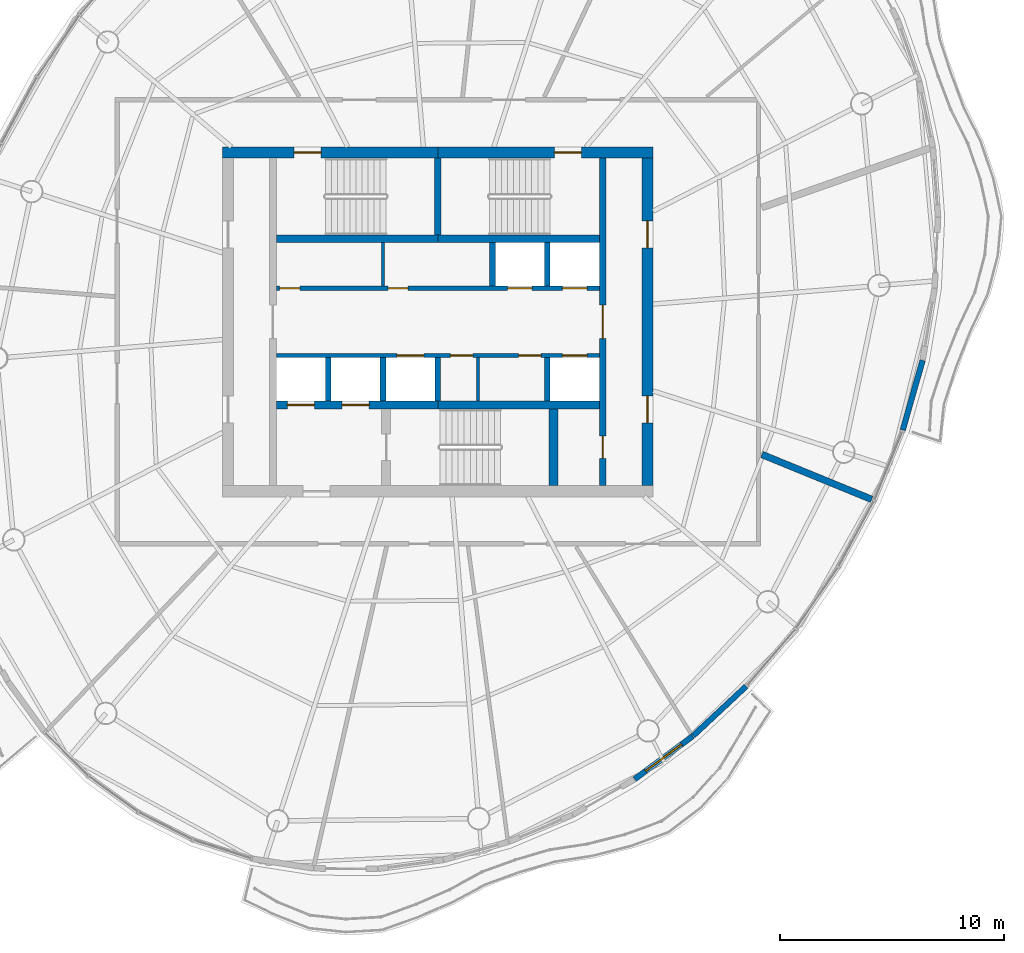
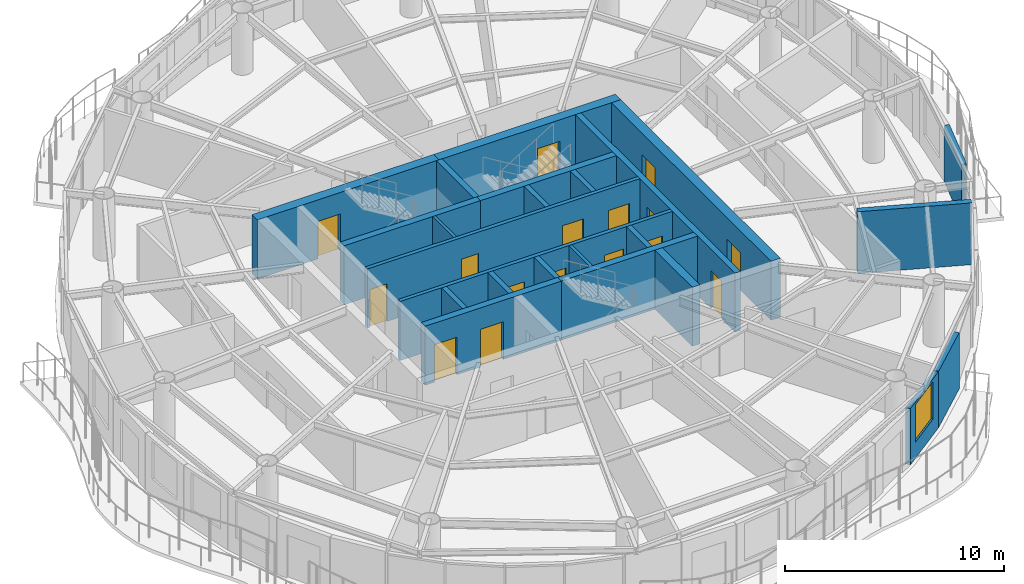
# One storey, part 9 of 14: 24 walls, 16 doors, 1 window, 17 openings.
"""IFC4 building model written with IfcOpenShell, lengths in metres."""

from ifc_helpers import new_model, si_unit, direction, frame, frame_2d, origin, place, context, subcontext, project, spatial, rectangle, extrude, material, layer, layer_set, type_object, element, fill, save


model = new_model("IFC4")

# Units and contexts
model_context = context("Model", 3, precision=1e-05, world=origin(), true_north=direction((0.0, 1.0)))
body_context = subcontext(model_context, "Body", "Model", "MODEL_VIEW")
ifc_project = project(units=[si_unit("LENGTHUNIT", "METRE"), si_unit("AREAUNIT", "SQUARE_METRE"), si_unit("VOLUMEUNIT", "CUBIC_METRE"), si_unit("PLANEANGLEUNIT", "RADIAN"), si_unit("MASSUNIT", "GRAM", prefix="KILO")], contexts=[model_context])

# Site, building, storey
site_placement = place(None, origin())
site = spatial("IfcSite", under=ifc_project, at=site_placement, CompositionType="ELEMENT")
building_placement = place(site_placement, origin())
building = spatial("IfcBuilding", under=site, at=building_placement, Name="Vermilion Reach Broadcast Tower", CompositionType="ELEMENT")
storey_placement = place(building_placement, frame((0.0, 0.0, 268.5)))
storey = spatial("IfcBuildingStorey", under=building, at=storey_placement, Name="L66", CompositionType="ELEMENT", Elevation=268.5)

# Wall, openings, doors
ifc_material_1 = material(Name="Concrete C50", Category="concrete")
ifc_layer_1 = layer(ifc_material_1, 0.300048828125)
ifc_layer_set_1 = layer_set([ifc_layer_1], Name="Core inner wall 300 mm Concrete C50")
wall_type_1 = type_object("IfcWallType", Name="Core inner wall 300 mm Concrete C50", PredefinedType="SHEAR", material=ifc_layer_set_1)
wall_1_placement = place(storey_placement, frame((1.35009765625, -7.300048828125, 0.0), z_axis=(0.0, 0.0, 1.0), x_axis=(0.0, 1.0, 0.0)))
wall_1 = element("IfcWall", 1, at=wall_1_placement, inside=storey, type_object=wall_type_1, Name="L66 core wall ewE", PredefinedType="SHEAR", context=body_context, shape_type="SweptSolid", body=[
    extrude(rectangle(XDim=14.60009765625, YDim=0.300048828125, at=frame_2d((7.300048828125, 0.0))), origin(), (0.0, 0.0, 1.0), 3.300048828125),
])
opening_1_placement = place(wall_1_placement, frame((1.2099609375, 0.0, 0.0)))
opening_1 = element("IfcOpeningElement", 2, at=opening_1_placement, cuts=wall_1, Name="Opening D05", PredefinedType="OPENING", context=body_context, shape_type="SweptSolid", body=[
    extrude(rectangle(XDim=1.0, YDim=2.10009765625, at=frame_2d((0.5, 1.050048828125))), frame((0.0, 0.159912109375, 0.0), z_axis=(0.0, -1.0, 0.0), x_axis=(1.0, 0.0, 0.0)), (0.0, 0.0, 1.0), 0.320068359375),
])
opening_2_placement = place(wall_1_placement, frame((6.550048828125, 0.0, 0.0)))
opening_2 = element("IfcOpeningElement", 3, at=opening_2_placement, cuts=wall_1, Name="Opening D04", PredefinedType="OPENING", context=body_context, shape_type="SweptSolid", body=[
    extrude(rectangle(XDim=1.5, YDim=2.10009765625, at=frame_2d((0.75, 1.050048828125))), frame((0.0, 0.159912109375, 0.0), z_axis=(0.0, -1.0, 0.0), x_axis=(1.0, 0.0, 0.0)), (0.0, 0.0, 1.0), 0.320068359375),
])
ifc_material_2 = material(Name="Painted steel fire door", Category="steel")
door_type_1 = type_object("IfcDoorType", Name="Lift lobby door 1500 x 2100", OperationType="DOUBLE_DOOR_SINGLE_SWING", PredefinedType="NOTDEFINED", material=ifc_material_2)
door_1_placement = place(opening_2_placement, origin())
door_1 = element("IfcDoor", 4, at=door_1_placement, inside=storey, type_object=door_type_1, Name="L66 band door BE", OperationType="DOUBLE_DOOR_SINGLE_SWING", OverallHeight=2.10009765625, OverallWidth=1.5, PredefinedType="NOTDEFINED", context=body_context, shape_type="SweptSolid", body=[
    extrude(rectangle(XDim=1.5, YDim=2.10009765625, at=frame_2d((0.75, 1.050048828125))), frame((0.0, 0.02490234375, 0.0), z_axis=(0.0, -1.0, 0.0), x_axis=(1.0, 0.0, 0.0)), (0.0, 0.0, 1.0), 0.050048828125),
])
fill(opening_2, door_1)
ifc_material_3 = material(Name="Timber door", Category="wood")
door_type_2 = type_object("IfcDoorType", Name="Room door 1000 x 2100", OperationType="NOTDEFINED", PredefinedType="NOTDEFINED", material=ifc_material_3)
door_2_placement = place(opening_1_placement, origin())
door_2 = element("IfcDoor", 5, at=door_2_placement, inside=storey, type_object=door_type_2, Name="L66 door SER", OperationType="SINGLE_SWING_LEFT", OverallHeight=2.10009765625, OverallWidth=1.0, PredefinedType="NOTDEFINED", context=body_context, shape_type="SweptSolid", body=[
    extrude(rectangle(XDim=1.0, YDim=2.10009765625, at=frame_2d((0.5, 1.050048828125))), frame((0.0, 0.02490234375, 0.0), z_axis=(0.0, -1.0, 0.0), x_axis=(1.0, 0.0, 0.0)), (0.0, 0.0, 1.0), 0.050048828125),
])
fill(opening_1, door_2)

# Walls
wall_2_placement = place(storey_placement, frame((-6.0, 3.8798828125, 0.0), z_axis=(0.0, 0.0, 1.0), x_axis=(0.0, 1.0, 0.0)))
element("IfcWall", 6, at=wall_2_placement, inside=storey, type_object=wall_type_1, Name="L66 core wall wc", PredefinedType="SHEAR", context=body_context, shape_type="SweptSolid", body=[
    extrude(rectangle(XDim=3.420166015625, YDim=0.300048828125, at=frame_2d((1.7099609375, 0.0))), origin(), (0.0, 0.0, 1.0), 3.300048828125),
])
ifc_material_4 = material(Name="Concrete C50", Category="concrete")
ifc_layer_2 = layer(ifc_material_4, 0.35009765625)
ifc_layer_set_2 = layer_set([ifc_layer_2], Name="Core inner wall 350 mm Concrete C50")
wall_type_2 = type_object("IfcWallType", Name="Core inner wall 350 mm Concrete C50", PredefinedType="SHEAR", material=ifc_layer_set_2)
for number, where, z_axis, x_axis, name in (
    (7, (-13.199951171875, 3.705078125, 0.0), (0.0, 0.0, 1.0), (1.0, 0.0, 0.0), "L66 core wall winW"),
    (8, (-6.0, 3.705078125, 0.0), (0.0, 0.0, 1.0), (1.0, 0.0, 0.0), "L66 core wall winE"),
):
    element("IfcWall", number, at=place(storey_placement, frame(where, z_axis=z_axis, x_axis=x_axis)), inside=storey, type_object=wall_type_2, Name=name, PredefinedType="SHEAR", context=body_context, shape_type="SweptSolid", body=[
        extrude(rectangle(XDim=7.199951171875, YDim=0.35009765625, at=frame_2d((3.60009765625, 0.0))), origin(), (0.0, 0.0, 1.0), 3.300048828125),
    ])

# Wall, openings, doors
wall_3_placement = place(storey_placement, frame((-13.199951171875, -3.705078125, 0.0), z_axis=(0.0, 0.0, 1.0), x_axis=(1.0, 0.0, 0.0)))
wall_3 = element("IfcWall", 9, at=wall_3_placement, inside=storey, type_object=wall_type_2, Name="L66 core wall wisW", PredefinedType="SHEAR", context=body_context, shape_type="SweptSolid", body=[
    extrude(rectangle(XDim=7.199951171875, YDim=0.35009765625, at=frame_2d((3.60009765625, 0.0))), origin(), (0.0, 0.0, 1.0), 3.300048828125),
])
opening_3_placement = place(wall_3_placement, frame((0.495849609375, 0.0, 0.0)))
opening_3 = element("IfcOpeningElement", 10, at=opening_3_placement, cuts=wall_3, Name="Opening LD1", PredefinedType="OPENING", context=body_context, shape_type="SweptSolid", body=[
    extrude(rectangle(XDim=1.199951171875, YDim=2.10009765625, at=frame_2d((0.60009765625, 1.050048828125))), frame((0.0, 0.18505859375, 0.0), z_axis=(0.0, -1.0, 0.0), x_axis=(1.0, 0.0, 0.0)), (0.0, 0.0, 1.0), 0.3701171875),
])
opening_4_placement = place(wall_3_placement, frame((2.9375, 0.0, 0.0)))
opening_4 = element("IfcOpeningElement", 11, at=opening_4_placement, cuts=wall_3, Name="Opening LD1", PredefinedType="OPENING", context=body_context, shape_type="SweptSolid", body=[
    extrude(rectangle(XDim=1.199951171875, YDim=2.10009765625, at=frame_2d((0.60009765625, 1.050048828125))), frame((0.0, 0.18505859375, 0.0), z_axis=(0.0, -1.0, 0.0), x_axis=(1.0, 0.0, 0.0)), (0.0, 0.0, 1.0), 0.3701171875),
])
ifc_material_5 = material(Name="Stainless steel", Category="steel")
door_type_3 = type_object("IfcDoorType", Name="Landing door 1200 x 2100", OperationType="DOUBLE_DOOR_SLIDING", PredefinedType="NOTDEFINED", material=ifc_material_5)
door_3_placement = place(opening_3_placement, origin())
door_3 = element("IfcDoor", 12, at=door_3_placement, inside=storey, type_object=door_type_3, Name="L66 landing door FF1", OperationType="DOUBLE_DOOR_SLIDING", OverallHeight=2.10009765625, OverallWidth=1.199951171875, PredefinedType="NOTDEFINED", context=body_context, shape_type="SweptSolid", body=[
    extrude(rectangle(XDim=1.199951171875, YDim=2.10009765625, at=frame_2d((0.60009765625, 1.050048828125))), frame((0.0, 0.02490234375, 0.0), z_axis=(0.0, -1.0, 0.0), x_axis=(1.0, 0.0, 0.0)), (0.0, 0.0, 1.0), 0.050048828125),
])
fill(opening_3, door_3)
door_4_placement = place(opening_4_placement, origin())
door_4 = element("IfcDoor", 13, at=door_4_placement, inside=storey, type_object=door_type_3, Name="L66 landing door FF2", OperationType="DOUBLE_DOOR_SLIDING", OverallHeight=2.10009765625, OverallWidth=1.199951171875, PredefinedType="NOTDEFINED", context=body_context, shape_type="SweptSolid", body=[
    extrude(rectangle(XDim=1.199951171875, YDim=2.10009765625, at=frame_2d((0.60009765625, 1.050048828125))), frame((0.0, 0.02490234375, 0.0), z_axis=(0.0, -1.0, 0.0), x_axis=(1.0, 0.0, 0.0)), (0.0, 0.0, 1.0), 0.050048828125),
])
fill(opening_4, door_4)

# Walls
wall_4_placement = place(storey_placement, frame((-6.0, -3.705078125, 0.0), z_axis=(0.0, 0.0, 1.0), x_axis=(1.0, 0.0, 0.0)))
element("IfcWall", 14, at=wall_4_placement, inside=storey, type_object=wall_type_2, Name="L66 core wall wisE", PredefinedType="SHEAR", context=body_context, shape_type="SweptSolid", body=[
    extrude(rectangle(XDim=7.199951171875, YDim=0.35009765625, at=frame_2d((3.60009765625, 0.0))), origin(), (0.0, 0.0, 1.0), 3.300048828125),
])
ifc_material_6 = material(Name="Concrete C50", Category="concrete")
ifc_layer_3 = layer(ifc_material_6, 0.39990234375)
ifc_layer_set_3 = layer_set([ifc_layer_3], Name="Core inner wall 400 mm Concrete C50")
wall_type_3 = type_object("IfcWallType", Name="Core inner wall 400 mm Concrete C50", PredefinedType="SHEAR", material=ifc_layer_set_3)
wall_5_placement = place(storey_placement, frame((-0.85009765625, -3.8798828125, 0.0), z_axis=(0.0, 0.0, 1.0), x_axis=(0.0, -1.0, 0.0)))
element("IfcWall", 15, at=wall_5_placement, inside=storey, type_object=wall_type_3, Name="L66 core wall wb", PredefinedType="SHEAR", context=body_context, shape_type="SweptSolid", body=[
    extrude(rectangle(XDim=3.420166015625, YDim=0.39990234375, at=frame_2d((1.7099609375, 0.0))), origin(), (0.0, 0.0, 1.0), 3.300048828125),
])

# Wall, opening, door
ifc_material_7 = material(Name="Concrete C50", Category="concrete")
ifc_layer_4 = layer(ifc_material_7, 0.5)
ifc_layer_set_4 = layer_set([ifc_layer_4], Name="Core outer wall 500 mm Concrete C50")
wall_type_4 = type_object("IfcWallType", Name="Core outer wall 500 mm Concrete C50", PredefinedType="SHEAR", material=ifc_layer_set_4)
wall_6_placement = place(storey_placement, frame((3.60009765625, 7.550048828125, 0.0), z_axis=(0.0, 0.0, 1.0), x_axis=(-1.0, 0.0, 0.0)))
wall_6 = element("IfcWall", 16, at=wall_6_placement, inside=storey, type_object=wall_type_4, Name="L66 core wall onE", PredefinedType="SHEAR", context=body_context, shape_type="SweptSolid", body=[
    extrude(rectangle(XDim=9.60009765625, YDim=0.5, at=frame_2d((4.800048828125, 0.0))), origin(), (0.0, 0.0, 1.0), 3.300048828125),
])
opening_5_placement = place(wall_6_placement, frame((3.199951171875, 0.0, 0.0)))
opening_5 = element("IfcOpeningElement", 17, at=opening_5_placement, cuts=wall_6, Name="Opening D01", PredefinedType="OPENING", context=body_context, shape_type="SweptSolid", body=[
    extrude(rectangle(XDim=1.199951171875, YDim=2.10009765625, at=frame_2d((0.60009765625, 1.050048828125))), frame((0.0, 0.260009765625, 0.0), z_axis=(0.0, -1.0, 0.0), x_axis=(1.0, 0.0, 0.0)), (0.0, 0.0, 1.0), 0.52001953125),
])
ifc_material_8 = material(Name="Painted steel fire door", Category="steel")
door_type_4 = type_object("IfcDoorType", Name="Stair door 1200 x 2100", OperationType="DOUBLE_DOOR_SINGLE_SWING", PredefinedType="NOTDEFINED", material=ifc_material_8)
door_5_placement = place(opening_5_placement, origin())
door_5 = element("IfcDoor", 18, at=door_5_placement, inside=storey, type_object=door_type_4, Name="L66 stair door ST2", OperationType="DOUBLE_DOOR_SINGLE_SWING", OverallHeight=2.10009765625, OverallWidth=1.199951171875, PredefinedType="NOTDEFINED", context=body_context, shape_type="SweptSolid", body=[
    extrude(rectangle(XDim=1.199951171875, YDim=2.10009765625, at=frame_2d((0.60009765625, 1.050048828125))), frame((0.0, 0.02490234375, 0.0), z_axis=(0.0, -1.0, 0.0), x_axis=(1.0, 0.0, 0.0)), (0.0, 0.0, 1.0), 0.050048828125),
])
fill(opening_5, door_5)

wall_7_placement = place(storey_placement, frame((-6.0, 7.550048828125, 0.0), z_axis=(0.0, 0.0, 1.0), x_axis=(-1.0, 0.0, 0.0)))
wall_7 = element("IfcWall", 19, at=wall_7_placement, inside=storey, type_object=wall_type_4, Name="L66 core wall onW", PredefinedType="SHEAR", context=body_context, shape_type="SweptSolid", body=[
    extrude(rectangle(XDim=9.60009765625, YDim=0.5, at=frame_2d((4.800048828125, 0.0))), origin(), (0.0, 0.0, 1.0), 3.300048828125),
])
opening_6_placement = place(wall_7_placement, frame((5.199951171875, 0.0, 0.0)))
opening_6 = element("IfcOpeningElement", 20, at=opening_6_placement, cuts=wall_7, Name="Opening D01", PredefinedType="OPENING", context=body_context, shape_type="SweptSolid", body=[
    extrude(rectangle(XDim=1.199951171875, YDim=2.10009765625, at=frame_2d((0.60009765625, 1.050048828125))), frame((0.0, 0.260009765625, 0.0), z_axis=(0.0, -1.0, 0.0), x_axis=(1.0, 0.0, 0.0)), (0.0, 0.0, 1.0), 0.52001953125),
])
door_6_placement = place(opening_6_placement, origin())
door_6 = element("IfcDoor", 21, at=door_6_placement, inside=storey, type_object=door_type_4, Name="L66 stair door ST1", OperationType="DOUBLE_DOOR_SINGLE_SWING", OverallHeight=2.10009765625, OverallWidth=1.199951171875, PredefinedType="NOTDEFINED", context=body_context, shape_type="SweptSolid", body=[
    extrude(rectangle(XDim=1.199951171875, YDim=2.10009765625, at=frame_2d((0.60009765625, 1.050048828125))), frame((0.0, 0.02490234375, 0.0), z_axis=(0.0, -1.0, 0.0), x_axis=(1.0, 0.0, 0.0)), (0.0, 0.0, 1.0), 0.050048828125),
])
fill(opening_6, door_6)

# Wall, openings, doors
wall_8_placement = place(storey_placement, frame((3.35009765625, -7.300048828125, 0.0), z_axis=(0.0, 0.0, 1.0), x_axis=(0.0, 1.0, 0.0)))
wall_8 = element("IfcWall", 22, at=wall_8_placement, inside=storey, type_object=wall_type_4, Name="L66 core wall oe", PredefinedType="SHEAR", context=body_context, shape_type="SweptSolid", body=[
    extrude(rectangle(XDim=14.60009765625, YDim=0.5, at=frame_2d((7.300048828125, 0.0))), origin(), (0.0, 0.0, 1.0), 3.300048828125),
])
opening_7_placement = place(wall_8_placement, frame((2.800048828125, 0.0, 0.0)))
opening_7 = element("IfcOpeningElement", 23, at=opening_7_placement, cuts=wall_8, Name="Opening D03", PredefinedType="OPENING", context=body_context, shape_type="SweptSolid", body=[
    extrude(rectangle(XDim=1.199951171875, YDim=2.10009765625, at=frame_2d((0.60009765625, 1.050048828125))), frame((0.0, 0.260009765625, 0.0), z_axis=(0.0, -1.0, 0.0), x_axis=(1.0, 0.0, 0.0)), (0.0, 0.0, 1.0), 0.52001953125),
])
opening_8_placement = place(wall_8_placement, frame((10.60009765625, 0.0, 0.0)))
opening_8 = element("IfcOpeningElement", 24, at=opening_8_placement, cuts=wall_8, Name="Opening D03", PredefinedType="OPENING", context=body_context, shape_type="SweptSolid", body=[
    extrude(rectangle(XDim=1.199951171875, YDim=2.10009765625, at=frame_2d((0.60009765625, 1.050048828125))), frame((0.0, 0.260009765625, 0.0), z_axis=(0.0, -1.0, 0.0), x_axis=(1.0, 0.0, 0.0)), (0.0, 0.0, 1.0), 0.52001953125),
])
ifc_material_9 = material(Name="Painted steel fire door", Category="steel")
door_type_5 = type_object("IfcDoorType", Name="Core lobby door 1200 x 2100", OperationType="DOUBLE_DOOR_SINGLE_SWING", PredefinedType="NOTDEFINED", material=ifc_material_9)
door_7_placement = place(opening_7_placement, origin())
door_7 = element("IfcDoor", 25, at=door_7_placement, inside=storey, type_object=door_type_5, Name="L66 slot door E0", OperationType="DOUBLE_DOOR_SINGLE_SWING", OverallHeight=2.10009765625, OverallWidth=1.199951171875, PredefinedType="NOTDEFINED", context=body_context, shape_type="SweptSolid", body=[
    extrude(rectangle(XDim=1.199951171875, YDim=2.10009765625, at=frame_2d((0.60009765625, 1.050048828125))), frame((0.0, 0.02490234375, 0.0), z_axis=(0.0, -1.0, 0.0), x_axis=(1.0, 0.0, 0.0)), (0.0, 0.0, 1.0), 0.050048828125),
])
fill(opening_7, door_7)
door_8_placement = place(opening_8_placement, origin())
door_8 = element("IfcDoor", 26, at=door_8_placement, inside=storey, type_object=door_type_5, Name="L66 slot door E1", OperationType="DOUBLE_DOOR_SINGLE_SWING", OverallHeight=2.10009765625, OverallWidth=1.199951171875, PredefinedType="NOTDEFINED", context=body_context, shape_type="SweptSolid", body=[
    extrude(rectangle(XDim=1.199951171875, YDim=2.10009765625, at=frame_2d((0.60009765625, 1.050048828125))), frame((0.0, 0.02490234375, 0.0), z_axis=(0.0, -1.0, 0.0), x_axis=(1.0, 0.0, 0.0)), (0.0, 0.0, 1.0), 0.050048828125),
])
fill(opening_8, door_8)

# Walls
ifc_material_10 = material(Name="Masonry block", Category="masonry")
ifc_layer_5 = layer(ifc_material_10, 0.14990234375)
ifc_layer_set_5 = layer_set([ifc_layer_5], Name="Core partition wall 150 mm Masonry block")
wall_type_5 = type_object("IfcWallType", Name="Core partition wall 150 mm Masonry block", PredefinedType="PARTITIONING", material=ifc_layer_set_5)
for number, where, z_axis, x_axis, name in (
    (27, (-8.441650390625, 1.60009765625, 0.0), (0.0, 0.0, 1.0), (0.0, 1.0, 0.0), "L66 core wall prN-2442"),
    (28, (-4.20703125, -1.60009765625, 0.0), (0.0, 0.0, 1.0), (0.0, -1.0, 0.0), "L66 core wall prS1793"),
):
    element("IfcWall", number, at=place(storey_placement, frame(where, z_axis=z_axis, x_axis=x_axis)), inside=storey, type_object=wall_type_5, Name=name, PredefinedType="PARTITIONING", context=body_context, shape_type="SweptSolid", body=[
        extrude(rectangle(XDim=1.929931640625, YDim=0.14990234375, at=frame_2d((0.96484375, 0.0))), origin(), (0.0, 0.0, 1.0), 3.300048828125),
    ])

# Wall, openings, doors
ifc_material_11 = material(Name="Concrete C50", Category="concrete")
ifc_layer_6 = layer(ifc_material_11, 0.199951171875)
ifc_layer_set_6 = layer_set([ifc_layer_6], Name="Core shaft wall 200 mm Concrete C50")
wall_type_6 = type_object("IfcWallType", Name="Core shaft wall 200 mm Concrete C50", PredefinedType="SHEAR", material=ifc_layer_set_6)
wall_9_placement = place(storey_placement, frame((-13.199951171875, 1.5, 0.0), z_axis=(0.0, 0.0, 1.0), x_axis=(1.0, 0.0, 0.0)))
wall_9 = element("IfcWall", 29, at=wall_9_placement, inside=storey, type_object=wall_type_6, Name="L66 core wall fn", PredefinedType="SHEAR", context=body_context, shape_type="SweptSolid", body=[
    extrude(rectangle(XDim=14.39990234375, YDim=0.199951171875, at=frame_2d((7.199951171875, 0.0))), origin(), (0.0, 0.0, 1.0), 3.300048828125),
])
opening_9_placement = place(wall_9_placement, frame((10.3125, 0.0, 0.0)))
opening_9 = element("IfcOpeningElement", 30, at=opening_9_placement, cuts=wall_9, Name="Opening LD2", PredefinedType="OPENING", context=body_context, shape_type="SweptSolid", body=[
    extrude(rectangle(XDim=1.10009765625, YDim=2.10009765625, at=frame_2d((0.550048828125, 1.050048828125))), frame((0.0, 0.10986328125, 0.0), z_axis=(0.0, -1.0, 0.0), x_axis=(1.0, 0.0, 0.0)), (0.0, 0.0, 1.0), 0.219970703125),
])
opening_10_placement = place(wall_9_placement, frame((12.754150390625, 0.0, 0.0)))
opening_10 = element("IfcOpeningElement", 31, at=opening_10_placement, cuts=wall_9, Name="Opening LD2", PredefinedType="OPENING", context=body_context, shape_type="SweptSolid", body=[
    extrude(rectangle(XDim=1.10009765625, YDim=2.10009765625, at=frame_2d((0.550048828125, 1.050048828125))), frame((0.0, 0.10986328125, 0.0), z_axis=(0.0, -1.0, 0.0), x_axis=(1.0, 0.0, 0.0)), (0.0, 0.0, 1.0), 0.219970703125),
])
opening_11_placement = place(wall_9_placement, frame((0.14990234375, 0.0, 0.0)))
opening_11 = element("IfcOpeningElement", 32, at=opening_11_placement, cuts=wall_9, Name="Opening D06", PredefinedType="OPENING", context=body_context, shape_type="SweptSolid", body=[
    extrude(rectangle(XDim=0.89990234375, YDim=2.10009765625, at=frame_2d((0.449951171875, 1.050048828125))), frame((0.0, 0.10986328125, 0.0), z_axis=(0.0, -1.0, 0.0), x_axis=(1.0, 0.0, 0.0)), (0.0, 0.0, 1.0), 0.219970703125),
])
opening_12_placement = place(wall_9_placement, frame((4.9833984375, 0.0, 0.0)))
opening_12 = element("IfcOpeningElement", 33, at=opening_12_placement, cuts=wall_9, Name="Opening D06", PredefinedType="OPENING", context=body_context, shape_type="SweptSolid", body=[
    extrude(rectangle(XDim=0.89990234375, YDim=2.10009765625, at=frame_2d((0.449951171875, 1.050048828125))), frame((0.0, 0.10986328125, 0.0), z_axis=(0.0, -1.0, 0.0), x_axis=(1.0, 0.0, 0.0)), (0.0, 0.0, 1.0), 0.219970703125),
])
ifc_material_12 = material(Name="Stainless steel", Category="steel")
door_type_6 = type_object("IfcDoorType", Name="Landing door 1100 x 2100", OperationType="DOUBLE_DOOR_SLIDING", PredefinedType="NOTDEFINED", material=ifc_material_12)
door_9_placement = place(opening_9_placement, origin())
door_9 = element("IfcDoor", 34, at=door_9_placement, inside=storey, type_object=door_type_6, Name="L66 landing door HR1", OperationType="DOUBLE_DOOR_SLIDING", OverallHeight=2.10009765625, OverallWidth=1.10009765625, PredefinedType="NOTDEFINED", context=body_context, shape_type="SweptSolid", body=[
    extrude(rectangle(XDim=1.10009765625, YDim=2.10009765625, at=frame_2d((0.550048828125, 1.050048828125))), frame((0.0, 0.02490234375, 0.0), z_axis=(0.0, -1.0, 0.0), x_axis=(1.0, 0.0, 0.0)), (0.0, 0.0, 1.0), 0.050048828125),
])
fill(opening_9, door_9)
door_10_placement = place(opening_10_placement, origin())
door_10 = element("IfcDoor", 35, at=door_10_placement, inside=storey, type_object=door_type_6, Name="L66 landing door HR2", OperationType="DOUBLE_DOOR_SLIDING", OverallHeight=2.10009765625, OverallWidth=1.10009765625, PredefinedType="NOTDEFINED", context=body_context, shape_type="SweptSolid", body=[
    extrude(rectangle(XDim=1.10009765625, YDim=2.10009765625, at=frame_2d((0.550048828125, 1.050048828125))), frame((0.0, 0.02490234375, 0.0), z_axis=(0.0, -1.0, 0.0), x_axis=(1.0, 0.0, 0.0)), (0.0, 0.0, 1.0), 0.050048828125),
])
fill(opening_10, door_10)
ifc_material_13 = material(Name="Timber door", Category="wood")
door_type_7 = type_object("IfcDoorType", Name="WC door 900 x 2100", OperationType="NOTDEFINED", PredefinedType="NOTDEFINED", material=ifc_material_13)
door_11_placement = place(opening_11_placement, origin())
door_11 = element("IfcDoor", 36, at=door_11_placement, inside=storey, type_object=door_type_7, Name="L66 door Female WC", OperationType="SINGLE_SWING_LEFT", OverallHeight=2.10009765625, OverallWidth=0.89990234375, PredefinedType="NOTDEFINED", context=body_context, shape_type="SweptSolid", body=[
    extrude(rectangle(XDim=0.89990234375, YDim=2.10009765625, at=frame_2d((0.449951171875, 1.050048828125))), frame((0.0, 0.02490234375, 0.0), z_axis=(0.0, -1.0, 0.0), x_axis=(1.0, 0.0, 0.0)), (0.0, 0.0, 1.0), 0.050048828125),
])
fill(opening_11, door_11)
door_12_placement = place(opening_12_placement, origin())
door_12 = element("IfcDoor", 37, at=door_12_placement, inside=storey, type_object=door_type_7, Name="L66 door Male WC", OperationType="SINGLE_SWING_LEFT", OverallHeight=2.10009765625, OverallWidth=0.89990234375, PredefinedType="NOTDEFINED", context=body_context, shape_type="SweptSolid", body=[
    extrude(rectangle(XDim=0.89990234375, YDim=2.10009765625, at=frame_2d((0.449951171875, 1.050048828125))), frame((0.0, 0.02490234375, 0.0), z_axis=(0.0, -1.0, 0.0), x_axis=(1.0, 0.0, 0.0)), (0.0, 0.0, 1.0), 0.050048828125),
])
fill(opening_12, door_12)

wall_10_placement = place(storey_placement, frame((1.199951171875, -1.5, 0.0), z_axis=(0.0, 0.0, 1.0), x_axis=(-1.0, 0.0, 0.0)))
wall_10 = element("IfcWall", 38, at=wall_10_placement, inside=storey, type_object=wall_type_6, Name="L66 core wall fs", PredefinedType="SHEAR", context=body_context, shape_type="SweptSolid", body=[
    extrude(rectangle(XDim=14.39990234375, YDim=0.199951171875, at=frame_2d((7.199951171875, 0.0))), origin(), (0.0, 0.0, 1.0), 3.300048828125),
])
opening_13_placement = place(wall_10_placement, frame((7.82080078125, 0.0, 0.0)))
opening_13 = element("IfcOpeningElement", 39, at=opening_13_placement, cuts=wall_10, Name="Opening LD1", PredefinedType="OPENING", context=body_context, shape_type="SweptSolid", body=[
    extrude(rectangle(XDim=1.199951171875, YDim=2.10009765625, at=frame_2d((0.60009765625, 1.050048828125))), frame((0.0, 0.10986328125, 0.0), z_axis=(0.0, -1.0, 0.0), x_axis=(1.0, 0.0, 0.0)), (0.0, 0.0, 1.0), 0.219970703125),
])
opening_14_placement = place(wall_10_placement, frame((0.5458984375, 0.0, 0.0)))
opening_14 = element("IfcOpeningElement", 40, at=opening_14_placement, cuts=wall_10, Name="Opening LD2", PredefinedType="OPENING", context=body_context, shape_type="SweptSolid", body=[
    extrude(rectangle(XDim=1.10009765625, YDim=2.10009765625, at=frame_2d((0.550048828125, 1.050048828125))), frame((0.0, 0.10986328125, 0.0), z_axis=(0.0, -1.0, 0.0), x_axis=(1.0, 0.0, 0.0)), (0.0, 0.0, 1.0), 0.219970703125),
])
opening_15_placement = place(wall_10_placement, frame((5.632080078125, 0.0, 0.0)))
opening_15 = element("IfcOpeningElement", 41, at=opening_15_placement, cuts=wall_10, Name="Opening D10", PredefinedType="OPENING", context=body_context, shape_type="SweptSolid", body=[
    extrude(rectangle(XDim=1.0, YDim=2.10009765625, at=frame_2d((0.5, 1.050048828125))), frame((0.0, 0.10986328125, 0.0), z_axis=(0.0, -1.0, 0.0), x_axis=(1.0, 0.0, 0.0)), (0.0, 0.0, 1.0), 0.219970703125),
])
opening_16_placement = place(wall_10_placement, frame((2.591552734375, 0.0, 0.0)))
opening_16 = element("IfcOpeningElement", 42, at=opening_16_placement, cuts=wall_10, Name="Opening D07", PredefinedType="OPENING", context=body_context, shape_type="SweptSolid", body=[
    extrude(rectangle(XDim=1.0, YDim=2.10009765625, at=frame_2d((0.5, 1.050048828125))), frame((0.0, 0.10986328125, 0.0), z_axis=(0.0, -1.0, 0.0), x_axis=(1.0, 0.0, 0.0)), (0.0, 0.0, 1.0), 0.219970703125),
])
ifc_material_14 = material(Name="Timber door", Category="wood")
door_type_8 = type_object("IfcDoorType", Name="Accessible WC door 1000 x 2100", OperationType="NOTDEFINED", PredefinedType="NOTDEFINED", material=ifc_material_14)
door_13_placement = place(opening_16_placement, origin())
door_13 = element("IfcDoor", 43, at=door_13_placement, inside=storey, type_object=door_type_8, Name="L66 door Accessible WC", OperationType="SINGLE_SWING_LEFT", OverallHeight=2.10009765625, OverallWidth=1.0, PredefinedType="NOTDEFINED", context=body_context, shape_type="SweptSolid", body=[
    extrude(rectangle(XDim=1.0, YDim=2.10009765625, at=frame_2d((0.5, 1.050048828125))), frame((0.0, 0.02490234375, 0.0), z_axis=(0.0, -1.0, 0.0), x_axis=(1.0, 0.0, 0.0)), (0.0, 0.0, 1.0), 0.050048828125),
])
fill(opening_16, door_13)
door_14_placement = place(opening_14_placement, origin())
door_14 = element("IfcDoor", 44, at=door_14_placement, inside=storey, type_object=door_type_6, Name="L66 landing door HR3", OperationType="DOUBLE_DOOR_SLIDING", OverallHeight=2.10009765625, OverallWidth=1.10009765625, PredefinedType="NOTDEFINED", context=body_context, shape_type="SweptSolid", body=[
    extrude(rectangle(XDim=1.10009765625, YDim=2.10009765625, at=frame_2d((0.550048828125, 1.050048828125))), frame((0.0, 0.02490234375, 0.0), z_axis=(0.0, -1.0, 0.0), x_axis=(1.0, 0.0, 0.0)), (0.0, 0.0, 1.0), 0.050048828125),
])
fill(opening_14, door_14)
door_15_placement = place(opening_13_placement, origin())
door_15 = element("IfcDoor", 45, at=door_15_placement, inside=storey, type_object=door_type_3, Name="L66 landing door SV1", OperationType="DOUBLE_DOOR_SLIDING", OverallHeight=2.10009765625, OverallWidth=1.199951171875, PredefinedType="NOTDEFINED", context=body_context, shape_type="SweptSolid", body=[
    extrude(rectangle(XDim=1.199951171875, YDim=2.10009765625, at=frame_2d((0.60009765625, 1.050048828125))), frame((0.0, 0.02490234375, 0.0), z_axis=(0.0, -1.0, 0.0), x_axis=(1.0, 0.0, 0.0)), (0.0, 0.0, 1.0), 0.050048828125),
])
fill(opening_13, door_15)
ifc_material_15 = material(Name="Timber door", Category="wood")
door_type_9 = type_object("IfcDoorType", Name="WC lobby door 1000 x 2100", OperationType="NOTDEFINED", PredefinedType="NOTDEFINED", material=ifc_material_15)
door_16_placement = place(opening_15_placement, origin())
door_16 = element("IfcDoor", 46, at=door_16_placement, inside=storey, type_object=door_type_9, Name="L66 door WC lobby", OperationType="SINGLE_SWING_LEFT", OverallHeight=2.10009765625, OverallWidth=1.0, PredefinedType="NOTDEFINED", context=body_context, shape_type="SweptSolid", body=[
    extrude(rectangle(XDim=1.0, YDim=2.10009765625, at=frame_2d((0.5, 1.050048828125))), frame((0.0, 0.02490234375, 0.0), z_axis=(0.0, -1.0, 0.0), x_axis=(1.0, 0.0, 0.0)), (0.0, 0.0, 1.0), 0.050048828125),
])
fill(opening_15, door_16)

# Walls
ifc_material_16 = material(Name="Concrete C50", Category="concrete")
ifc_layer_7 = layer(ifc_material_16, 0.25)
ifc_layer_set_7 = layer_set([ifc_layer_7], Name="Core shaft wall 250 mm Concrete C50")
wall_type_7 = type_object("IfcWallType", Name="Core shaft wall 250 mm Concrete C50", PredefinedType="SHEAR", material=ifc_layer_set_7)
for number, where, z_axis, x_axis, name in (
    (47, (-3.558349609375, 1.60009765625, 0.0), (0.0, 0.0, 1.0), (0.0, 1.0, 0.0), "L66 core wall psN3"),
    (48, (-1.11669921875, 1.60009765625, 0.0), (0.0, 0.0, 1.0), (0.0, 1.0, 0.0), "L66 core wall psN4"),
    (49, (-10.88330078125, -1.60009765625, 0.0), (0.0, 0.0, 1.0), (0.0, -1.0, 0.0), "L66 core wall psS0"),
    (50, (-8.441650390625, -1.60009765625, 0.0), (0.0, 0.0, 1.0), (0.0, -1.0, 0.0), "L66 core wall psS1"),
    (51, (-6.0, -1.60009765625, 0.0), (0.0, 0.0, 1.0), (0.0, -1.0, 0.0), "L66 core wall psS2"),
    (52, (-1.11669921875, -1.60009765625, 0.0), (0.0, 0.0, 1.0), (0.0, -1.0, 0.0), "L66 core wall psS4"),
):
    element("IfcWall", number, at=place(storey_placement, frame(where, z_axis=z_axis, x_axis=x_axis)), inside=storey, type_object=wall_type_7, Name=name, PredefinedType="SHEAR", context=body_context, shape_type="SweptSolid", body=[
        extrude(rectangle(XDim=1.929931640625, YDim=0.25, at=frame_2d((0.96484375, 0.0))), origin(), (0.0, 0.0, 1.0), 3.300048828125),
    ])
ifc_material_17 = material(Name="Double-leaf plasterboard on isolated steel stud", Category="steel")
ifc_layer_8 = layer(ifc_material_17, 0.300048828125)
ifc_layer_set_8 = layer_set([ifc_layer_8], Name="Partition 300 acoustic double leaf")
wall_type_8 = type_object("IfcWallType", Name="Partition 300 acoustic double leaf", PredefinedType="PARTITIONING", material=ifc_layer_set_8)
wall_11_placement = place(storey_placement, frame((13.343505859375, -7.91455078125, 0.0), z_axis=(0.0, 0.0, 1.0), x_axis=(-0.925520438103, 0.378697661274, 0.0)))
element("IfcWall", 53, at=wall_11_placement, inside=storey, type_object=wall_type_8, Name="Partition 66.09", PredefinedType="PARTITIONING", context=body_context, shape_type="SweptSolid", body=[
    extrude(rectangle(XDim=5.280029296875, YDim=0.300048828125, at=frame_2d((2.64013671875, 0.0))), origin(), (0.0, 0.0, 1.0), 3.449951171875),
])

# Wall, opening, window
ifc_material_18 = material(Name="Terracotta rainscreen cladding", Category="masonry")
ifc_layer_9 = layer(ifc_material_18, 0.25)
ifc_layer_set_9 = layer_set([ifc_layer_9], Name="Terracotta rainscreen wall 250")
wall_type_9 = type_object("IfcWallType", Name="Terracotta rainscreen wall 250", PredefinedType="SOLIDWALL", material=ifc_layer_set_9)
wall_12_placement = place(storey_placement, frame((2.77685546875, -20.390625, 0.0), z_axis=(0.0, 0.0, 1.0), x_axis=(0.803243022616, 0.595651447256, 0.0)))
wall_12 = element("IfcWall", 54, at=wall_12_placement, inside=storey, type_object=wall_type_9, Name="External wall L66 32", PredefinedType="SOLIDWALL", context=body_context, shape_type="SweptSolid", body=[
    extrude(rectangle(XDim=3.222412109375, YDim=0.25, at=frame_2d((1.611328125, 0.0))), origin(), (0.0, 0.0, 1.0), 3.14990234375),
])
opening_17_placement = place(wall_12_placement, frame((0.611083984375, 0.0, 0.89990234375)))
opening_17 = element("IfcOpeningElement", 55, at=opening_17_placement, cuts=wall_12, Name="Opening W03", PredefinedType="OPENING", context=body_context, shape_type="SweptSolid", body=[
    extrude(rectangle(XDim=2.0, YDim=2.10009765625, at=frame_2d((1.0, 1.050048828125))), frame((0.0, 0.135009765625, 0.0), z_axis=(0.0, -1.0, 0.0), x_axis=(1.0, 0.0, 0.0)), (0.0, 0.0, 1.0), 0.27001953125),
])
ifc_material_19 = material(Name="Low-e laminated clear glass in aluminium frame", Category="aluminium")
window_type = type_object("IfcWindowType", Name="Punched window 2000 x 2100 sill 900", PartitioningType="SINGLE_PANEL", PredefinedType="WINDOW", material=ifc_material_19)
window_placement = place(opening_17_placement, origin())
window = element("IfcWindow", 56, at=window_placement, inside=storey, type_object=window_type, Name="Window L66 32", OverallHeight=2.10009765625, OverallWidth=2.0, PartitioningType="SINGLE_PANEL", PredefinedType="WINDOW", context=body_context, shape_type="SweptSolid", body=[
    extrude(rectangle(XDim=2.0, YDim=2.10009765625, at=frame_2d((1.0, 1.050048828125))), frame((0.0, 0.030029296875, 0.0), z_axis=(0.0, -1.0, 0.0), x_axis=(1.0, 0.0, 0.0)), (0.0, 0.0, 1.0), 0.06005859375),
])
fill(opening_17, window)

# Walls
for number, where, z_axis, x_axis, name in (
    (57, (5.38232421875, -18.45703125, 0.0), (0.0, 0.0, 1.0), (0.731190882078, 0.682172920868, 0.0), "External wall L66 33"),
    (58, (14.731201171875, -4.825927734375, 0.0), (0.0, 0.0, 1.0), (0.27386313883, 0.96176867343, 0.0), "External wall L66 38"),
):
    element("IfcWall", number, at=place(storey_placement, frame(where, z_axis=z_axis, x_axis=x_axis)), inside=storey, type_object=wall_type_9, Name=name, PredefinedType="SOLIDWALL", context=body_context, shape_type="SweptSolid", body=[
        extrude(rectangle(XDim=3.232421875, YDim=0.25, at=frame_2d((1.6162109375, 0.0))), origin(), (0.0, 0.0, 1.0), 3.14990234375),
    ])

save(model, "model.ifc")
